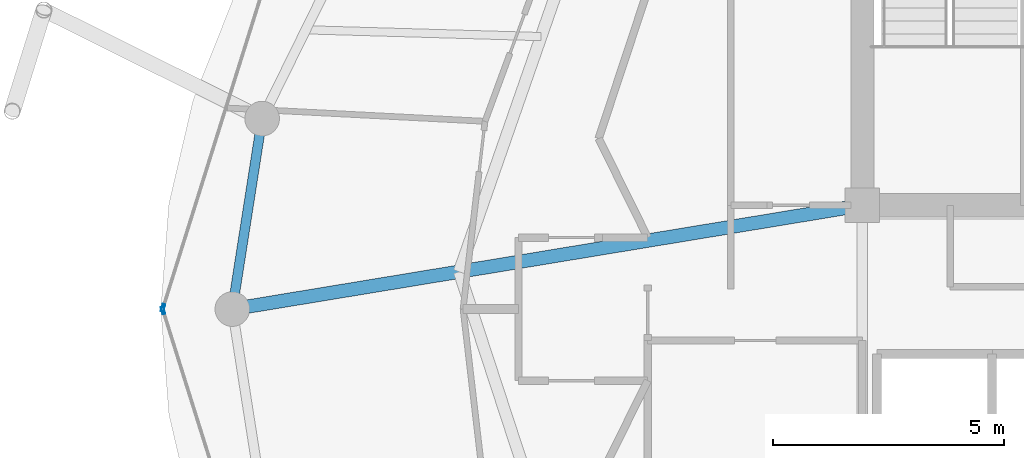
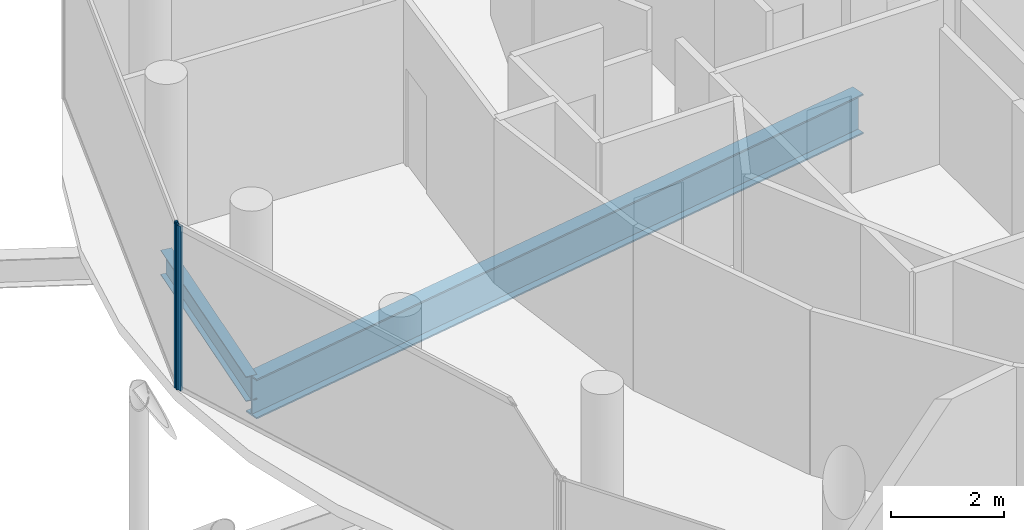
# One storey, part 6 of 24: 2 beams, 2 members, 2 elements without a shape of their own.
"""IFC4 building model written with IfcOpenShell, lengths in metres."""

import ifcopenshell
import ifcopenshell.guid

model = None  # the IFC model being written
_history = None  # IfcOwnerHistory: only IFC2X3 demands one
_inside = {}  # id of a spatial element -> (the spatial element, [elements in it])
_under = {}  # id of a project, library or spatial element -> (it, [spatial elements below it])
_declared = {}  # id of a project -> (the project, [libraries it declares])
_typed = {}  # id of a type object -> (the type object, [elements of that type])
_made_of = {}  # id of a material, layer set ... -> (it, [elements and type objects made of it])


def new_model(schema):
    """Start an empty IFC model of exactly this schema.

    Asked for "IFC4X3", IfcOpenShell would pick the latest addendum, in which some entities
    have other attributes; the version numbers below select the first issue.
    IFC2X3 requires an IfcOwnerHistory on every rooted entity: one is made here for all.
    """
    global model, _history
    if schema == "IFC4X3":
        model = ifcopenshell.file(schema_version=(4, 3, 0, 0))
    else:
        model = ifcopenshell.file(schema=schema)
    _inside.clear()
    _under.clear()
    _declared.clear()
    _typed.clear()
    _made_of.clear()
    _history = None
    if model.schema == "IFC2X3":
        org = make("IfcOrganization", Name="unknown")
        user = make(
            "IfcPersonAndOrganization",
            ThePerson=make("IfcPerson", FamilyName="unknown"),
            TheOrganization=org,
        )
        app = make(
            "IfcApplication",
            ApplicationDeveloper=org,
            Version="unknown",
            ApplicationFullName="unknown",
            ApplicationIdentifier="unknown",
        )
        _history = make(
            "IfcOwnerHistory",
            OwningUser=user,
            OwningApplication=app,
            ChangeAction="ADDED",
            CreationDate=0,
        )
    return model


def make(cls, **values):
    """One entity of the class cls with the attributes given. An attribute that is None is left unset."""
    return model.create_entity(
        cls, **{name: value for name, value in values.items() if value is not None}
    )


def rooted(cls, **values):
    """An entity with a GlobalId (a new one), such as an element, a storey or a relation."""
    return make(cls, GlobalId=ifcopenshell.guid.new(), OwnerHistory=_history, **values)


def si_unit(unit_type, name, prefix=None):
    """IfcSIUnit, for example si_unit("LENGTHUNIT", "METRE", prefix="MILLI")."""
    return make("IfcSIUnit", UnitType=unit_type, Prefix=prefix, Name=name)


def assignment(units):
    """IfcUnitAssignment: the units of a project."""
    return None if units is None else make("IfcUnitAssignment", Units=units)


def point(xyz):
    """IfcCartesianPoint."""
    return None if xyz is None else make("IfcCartesianPoint", Coordinates=xyz)


def direction(xyz):
    """IfcDirection."""
    return None if xyz is None else make("IfcDirection", DirectionRatios=xyz)


def frame(location, z_axis=None, x_axis=None):
    """IfcAxis2Placement3D, a coordinate frame: its origin and axes. An axis left out is left unset."""
    return make(
        "IfcAxis2Placement3D",
        Location=point(location),
        Axis=direction(z_axis),
        RefDirection=direction(x_axis),
    )


def frame_2d(location, x_axis=None):
    """IfcAxis2Placement2D, a coordinate frame in the plane: its origin and x axis."""
    return make(
        "IfcAxis2Placement2D", Location=point(location), RefDirection=direction(x_axis)
    )


def origin():
    """The frame at (0, 0, 0) with its axes left unset."""
    return frame((0.0, 0.0, 0.0))


def origin_2d():
    """The frame at (0, 0) in the plane with its x axis left unset."""
    return frame_2d((0.0, 0.0))


def place(relative_to, where):
    """IfcLocalPlacement: puts the frame where relative to a parent placement (None: the world)."""
    return make(
        "IfcLocalPlacement", PlacementRelTo=relative_to, RelativePlacement=where
    )


def context(
    kind, dimensions, precision=None, world=None, true_north=None, identifier=None
):
    """IfcGeometricRepresentationContext, for example the 3D "Model" context."""
    return make(
        "IfcGeometricRepresentationContext",
        ContextIdentifier=identifier,
        ContextType=kind,
        CoordinateSpaceDimension=dimensions,
        Precision=precision,
        WorldCoordinateSystem=world,
        TrueNorth=true_north,
    )


def subcontext(parent, identifier, kind, view, scale=None):
    """IfcGeometricRepresentationSubContext, for example "Body" below "Model"."""
    return make(
        "IfcGeometricRepresentationSubContext",
        ContextIdentifier=identifier,
        ContextType=kind,
        ParentContext=parent,
        TargetScale=scale,
        TargetView=view,
    )


def project(units=None, contexts=None):
    """IfcProject with its units and contexts."""
    return rooted(
        "IfcProject",
        Name="project",
        RepresentationContexts=contexts,
        UnitsInContext=assignment(units),
    )


def spatial(cls, under=None, at=None, **own):
    """A site, building, storey or space (cls), placed at a placement, below another one or the project."""
    s = rooted(cls, ObjectPlacement=at, **own)
    if under is not None:
        _under.setdefault(under.id(), (under, []))[1].append(s)
    return s


def profile(cls, at=None, kind="AREA", **sizes):
    """A parametric profile (cls). Its sizes go by their IFC names, for example OverallWidth=200.0."""
    return make(cls, ProfileType=kind, Position=at, **sizes)


def hollow_rectangle(**sizes):
    """IfcRectangleHollowProfileDef."""
    return profile("IfcRectangleHollowProfileDef", **sizes)


def i_section(**sizes):
    """IfcIShapeProfileDef."""
    return profile("IfcIShapeProfileDef", **sizes)


def extrude(swept, where, along, depth):
    """IfcExtrudedAreaSolid: the profile swept, set in the frame where, extruded along a direction by depth."""
    return make(
        "IfcExtrudedAreaSolid",
        SweptArea=swept,
        Position=where,
        ExtrudedDirection=direction(along),
        Depth=depth,
    )


def shape(context_of_items, identifier, shape_type, items):
    """IfcShapeRepresentation: the items that make up one representation, for example the "Body"."""
    return make(
        "IfcShapeRepresentation",
        ContextOfItems=context_of_items,
        RepresentationIdentifier=identifier,
        RepresentationType=shape_type,
        Items=items,
    )


def material(Name=None, Category=None):
    """IfcMaterial."""
    return make("IfcMaterial", Name=Name, Category=Category)


def layer(
    of_material, thickness, ventilated=None, Name=None, Category=None, Priority=None
):
    """IfcMaterialLayer: one layer of a wall or slab, of a material (None: an air gap)."""
    return make(
        "IfcMaterialLayer",
        Material=of_material,
        LayerThickness=thickness,
        IsVentilated=ventilated,
        Name=Name,
        Category=Category,
        Priority=Priority,
    )


def layer_set(layers, Name=None):
    """IfcMaterialLayerSet."""
    return make("IfcMaterialLayerSet", MaterialLayers=layers, LayerSetName=Name)


def material_profile(
    of_material, cross_section, Name=None, Category=None, Priority=None
):
    """IfcMaterialProfile: a cross section and its material."""
    return make(
        "IfcMaterialProfile",
        Name=Name,
        Material=of_material,
        Profile=cross_section,
        Priority=Priority,
        Category=Category,
    )


def profile_set(profiles, Name=None, composite=None):
    """IfcMaterialProfileSet."""
    return make(
        "IfcMaterialProfileSet",
        Name=Name,
        MaterialProfiles=profiles,
        CompositeProfile=composite,
    )


def made_of(thing, what):
    """Note that an element or type object is made of a material, layer set ...; save() writes the relation."""
    if what is not None:
        _made_of.setdefault(what.id(), (what, []))[1].append(thing)
    return thing


def type_object(cls, material=None, **own):
    """A type object (cls), such as IfcWallType, which elements share."""
    return made_of(rooted(cls, **own), material)


def element(
    cls,
    number,
    at=None,
    inside=None,
    cuts=None,
    type_object=None,
    material=None,
    context=None,
    identifier="Body",
    shape_type=None,
    held_by="IfcProductDefinitionShape",
    body=None,
    shapes=None,
    **own,
):
    """One element of the class cls, such as IfcWall. Its Tag is "e" and its number.

    at: its placement. inside: the storey or other place that contains it. cuts: it is an
    opening in that element (IfcRelVoidsElement). A single representation is given by context,
    identifier, shape_type and body (its items); several are given by shapes. held_by: the class
    of the entity that holds the representations. save() writes the other relations.
    """
    e = rooted(cls, Tag="e%d" % number, ObjectPlacement=at, **own)
    if body is not None:
        shapes = [shape(context, identifier, shape_type, body)]
    if shapes is not None:
        e.Representation = make(held_by, Representations=shapes)
    if inside is not None:
        _inside.setdefault(inside.id(), (inside, []))[1].append(e)
    if cuts is not None:
        rooted(
            "IfcRelVoidsElement", RelatingBuildingElement=cuts, RelatedOpeningElement=e
        )
    if type_object is not None:
        _typed.setdefault(type_object.id(), (type_object, []))[1].append(e)
    return made_of(e, material)


def aggregate(whole, parts):
    """IfcRelAggregates: a whole, such as a stair, and the parts it consists of."""
    return rooted("IfcRelAggregates", RelatingObject=whole, RelatedObjects=parts)


def save(model, path):
    """Write the relations noted so far, then the file.

    IfcRelAggregates (storeys below a building ...), IfcRelContainedInSpatialStructure (elements
    in a storey), IfcRelDefinesByType, IfcRelAssociatesMaterial and IfcRelDeclares: one each for
    every whole, place, type object, material and project.
    """
    for whole, parts in _under.values():
        aggregate(whole, parts)
    for where, things in _inside.values():
        rooted(
            "IfcRelContainedInSpatialStructure",
            RelatedElements=things,
            RelatingStructure=where,
        )
    for kind, things in _typed.values():
        rooted("IfcRelDefinesByType", RelatedObjects=things, RelatingType=kind)
    for what, things in _made_of.values():
        rooted("IfcRelAssociatesMaterial", RelatedObjects=things, RelatingMaterial=what)
    for by, libraries in _declared.values():
        rooted("IfcRelDeclares", RelatingContext=by, RelatedDefinitions=libraries)
    model.write(path)


model = new_model("IFC4")

# Units and contexts
model_context = context("Model", 3, precision=1e-05, world=origin(), true_north=direction((0.0, 1.0)))
body_context = subcontext(model_context, "Body", "Model", "MODEL_VIEW")
ifc_project = project(units=[si_unit("LENGTHUNIT", "METRE"), si_unit("AREAUNIT", "SQUARE_METRE"), si_unit("VOLUMEUNIT", "CUBIC_METRE"), si_unit("PLANEANGLEUNIT", "RADIAN"), si_unit("MASSUNIT", "GRAM", prefix="KILO")], contexts=[model_context])

# Site, building, storey
site_placement = place(None, origin())
site = spatial("IfcSite", under=ifc_project, at=site_placement, CompositionType="ELEMENT")
building_placement = place(site_placement, origin())
building = spatial("IfcBuilding", under=site, at=building_placement, Name="Nuhasar Tower", CompositionType="ELEMENT")
storey_placement = place(building_placement, frame((0.0, 0.0, 286.0)))
storey = spatial("IfcBuildingStorey", under=building, at=storey_placement, Name="L71", CompositionType="ELEMENT", Elevation=286.0)

# Beams
ifc_material_1 = material(Name="Steel S355", Category="steel")
ifc_material_profile_1 = material_profile(ifc_material_1, i_section(OverallWidth=0.2919921875, OverallDepth=0.85888671875, WebThickness=0.01708984375, FlangeThickness=0.031005859375, at=origin_2d()), Name="W33X169")
ifc_profile_set_1 = profile_set([ifc_material_profile_1], Name="Steel S355")
beam_type_1 = type_object("IfcBeamType", Name="BM-POD-W33X169", PredefinedType="BEAM", material=ifc_profile_set_1)
beam_1_placement = place(storey_placement, frame((33.699951171875, 29.050048828125, -0.68994140625), z_axis=(-0.986685215874, -0.162641583786, 0.0), x_axis=(0.162641583786, -0.986685215874, 0.0)))
element("IfcBeam", 1, at=beam_1_placement, inside=storey, type_object=beam_type_1, Name="L71 Radial Floor Girder 08", PredefinedType="BEAM", context=body_context, shape_type="SweptSolid", body=[
    extrude(i_section(OverallWidth=0.2919921875, OverallDepth=0.85888671875, WebThickness=0.01708984375, FlangeThickness=0.031005859375, at=origin_2d()), origin(), (0.0, 0.0, 1.0), 13.833984375),
])
ifc_material_profile_2 = material_profile(ifc_material_1, i_section(OverallWidth=0.2099609375, OverallDepth=0.537109375, WebThickness=0.010986328125, FlangeThickness=0.017333984375, at=origin_2d()), Name="W21X68")
ifc_profile_set_2 = profile_set([ifc_material_profile_2], Name="Steel S355")
beam_type_2 = type_object("IfcBeamType", Name="BM-RING-W21X68", PredefinedType="SPANDREL", material=ifc_profile_set_2)
beam_2_placement = place(storey_placement, frame((20.696044921875, 30.927978515625, -0.529052734375), z_axis=(-0.154612165232, -0.987975241776, 0.0), x_axis=(0.987975241776, -0.154612165232, 0.0)))
element("IfcBeam", 2, at=beam_2_placement, inside=storey, type_object=beam_type_2, Name="L71 Perimeter Ring Spandrel 12", PredefinedType="SPANDREL", context=body_context, shape_type="SweptSolid", body=[
    extrude(i_section(OverallWidth=0.2099609375, OverallDepth=0.537109375, WebThickness=0.010986328125, FlangeThickness=0.017333984375, at=origin_2d()), origin(), (0.0, 0.0, 1.0), 4.17822265625),
])

# Curtain wall, member
ifc_material_2 = material(Name="Aluminium 6063-T6", Category="aluminium")
ifc_layer = layer(ifc_material_2, 0.18994140625)
ifc_layer_set = layer_set([ifc_layer], Name="Aluminium 6063-T6")
curtain_wall_type = type_object("IfcCurtainWallType", Name="CW-Z4-PEN", PredefinedType="NOTDEFINED", material=ifc_layer_set)
curtain_wall_1_placement = place(storey_placement, origin())
curtain_wall_1 = element("IfcCurtainWall", 3, at=curtain_wall_1_placement, inside=storey, type_object=curtain_wall_type, Name="L71 Unitised Curtain Wall 06", PredefinedType="NOTDEFINED")
ifc_material_profile_3 = material_profile(ifc_material_2, hollow_rectangle(XDim=0.06005859375, YDim=0.1650390625, WallThickness=0.0048828125, at=origin_2d()), Name="CWM-5")
ifc_profile_set_3 = profile_set([ifc_material_profile_3], Name="Aluminium 6063-T6")
member_type = type_object("IfcMemberType", Name="CW-MUL-S5", PredefinedType="MULLION", material=ifc_profile_set_3)
member_1_placement = place(storey_placement, frame((18.549072265625, 26.82861328125, 0.0), z_axis=(0.0, 0.0, 1.0), x_axis=(0.954078526601, -0.299556614146, 0.0)))
member_1 = element("IfcMember", 4, at=member_1_placement, type_object=member_type, Name="CW-Z4 mullion 2", PredefinedType="MULLION", context=body_context, shape_type="SweptSolid", body=[
    extrude(hollow_rectangle(XDim=0.06005859375, YDim=0.1650390625, WallThickness=0.0048828125, at=origin_2d()), origin(), (0.0, 0.0, 1.0), 3.5400390625),
])
aggregate(curtain_wall_1, [member_1])

curtain_wall_2_placement = place(storey_placement, origin())
curtain_wall_2 = element("IfcCurtainWall", 5, at=curtain_wall_2_placement, inside=storey, type_object=curtain_wall_type, Name="L71 Unitised Curtain Wall 07", PredefinedType="NOTDEFINED")
member_2_placement = place(storey_placement, frame((18.549072265625, 26.771484375, 0.0), z_axis=(0.0, 0.0, 1.0), x_axis=(0.954078526601, 0.299556614146, 0.0)))
member_2 = element("IfcMember", 6, at=member_2_placement, type_object=member_type, Name="CW-Z4 mullion 1", PredefinedType="MULLION", context=body_context, shape_type="SweptSolid", body=[
    extrude(hollow_rectangle(XDim=0.06005859375, YDim=0.1650390625, WallThickness=0.0048828125, at=origin_2d()), origin(), (0.0, 0.0, 1.0), 3.5400390625),
])
aggregate(curtain_wall_2, [member_2])

save(model, "model.ifc")
